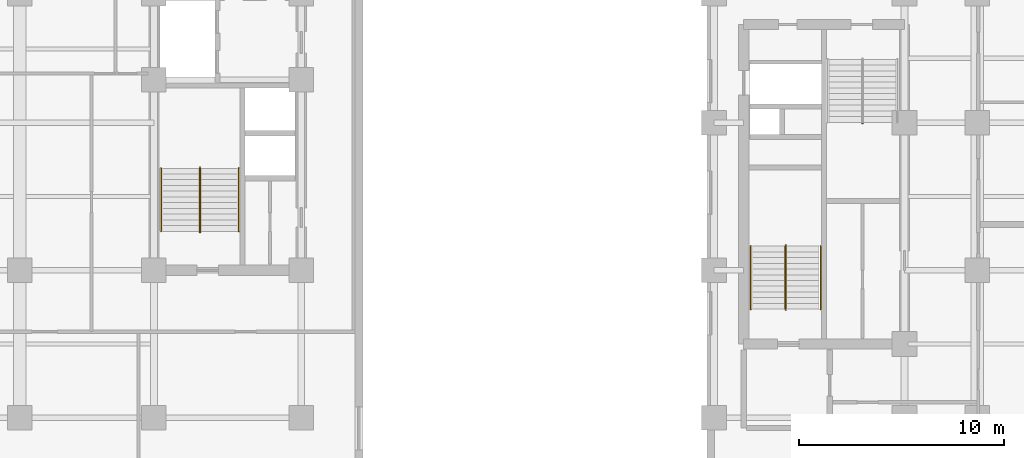
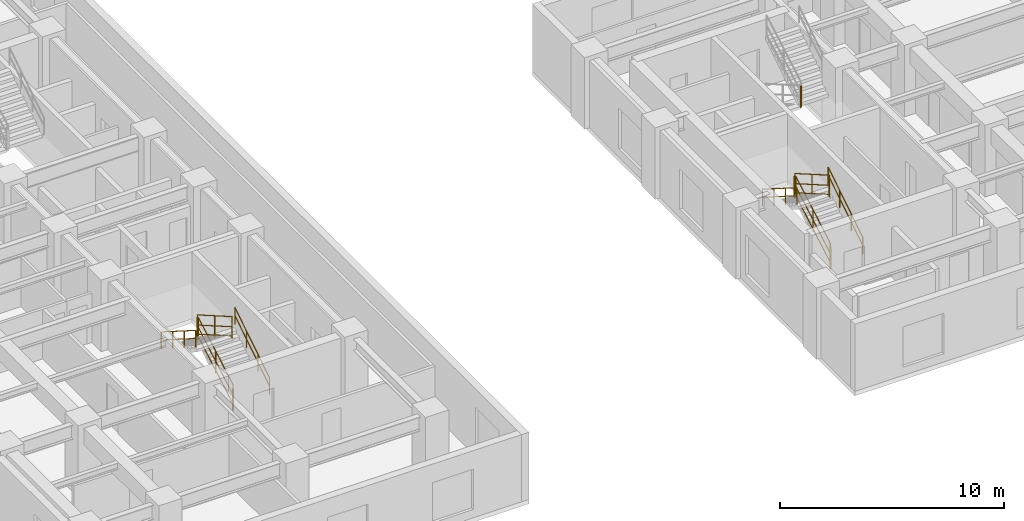
# One storey, part 7 of 9: 13 railings.
"""IFC4 building model written with IfcOpenShell, lengths in metres."""

from ifc_helpers import new_model, entity, si_unit, converted_unit, direction, frame, origin_with_axes, origin_2d_with_axis, place, context, subcontext, project, spatial, rectangle, circle, extrude, material, type_object, element, save


model = new_model("IFC4")

# Units and contexts
model_context = context("Model", 3, precision=1e-05, world=origin_with_axes(), true_north=direction((0.0, 1.0)))
body_context = subcontext(model_context, "Body", "Model", "MODEL_VIEW")
ifc_project = project(units=[si_unit("LENGTHUNIT", "METRE"), si_unit("AREAUNIT", "SQUARE_METRE"), si_unit("VOLUMEUNIT", "CUBIC_METRE"), converted_unit("PLANEANGLEUNIT", "DEGREE", entity("IfcPlaneAngleMeasure", 0.017453292519943295), si_unit("PLANEANGLEUNIT", "RADIAN"), dimensions=[0, 0, 0, 0, 0, 0, 0]), si_unit("MASSUNIT", "GRAM", prefix="KILO"), si_unit("THERMODYNAMICTEMPERATUREUNIT", "KELVIN")], contexts=[model_context])

# Site, building, storey
site_placement = place(None, origin_with_axes())
site = spatial("IfcSite", under=ifc_project, at=site_placement, CompositionType="ELEMENT")
building_placement = place(site_placement, origin_with_axes())
building = spatial("IfcBuilding", under=site, at=building_placement, Name="Varnlund Millrace Tower", CompositionType="ELEMENT")
storey_placement = place(building_placement, frame((0.0, 0.0, 112.5), z_axis=(0.0, 0.0, 1.0), x_axis=(1.0, 0.0, 0.0)))
storey = spatial("IfcBuildingStorey", under=building, at=storey_placement, Name="L27", CompositionType="ELEMENT", Elevation=112.5)

# Railings
ifc_material_1 = material(Name="Painted steel stair well balustrade guard", Category="steel")
railing_type_1 = type_object("IfcRailingType", Name="Type-StairGuard-1150", PredefinedType="GUARDRAIL", material=ifc_material_1)
railing_1_placement = place(storey_placement, frame((0.0, 0.0, -112.5), z_axis=(0.0, 0.0, 1.0), x_axis=(1.0, 0.0, 0.0)))
element("IfcRailing", 1, at=railing_1_placement, inside=storey, type_object=railing_type_1, Name="Type-StairGuard-1150", PredefinedType="GUARDRAIL", context=body_context, shape_type="SweptSolid", body=[
    extrude(circle(Radius=0.024, at=origin_2d_with_axis()), frame((13.675, 12.7, 113.827273), z_axis=(0.0, 0.866696, 0.498836), x_axis=(-1.0, 0.0, 0.0)), (0.0, 0.0, 1.0), 3.553725),
    extrude(circle(Radius=0.024, at=origin_2d_with_axis()), frame((13.675, 12.7, 112.777273), z_axis=(0.0, 0.866696, 0.498836), x_axis=(-1.0, 0.0, 0.0)), (0.0, 0.0, 1.0), 3.553725),
    extrude(circle(Radius=0.024, at=origin_2d_with_axis()), frame((13.675, 12.7, 113.275273), z_axis=(0.0, 0.866696, 0.498836), x_axis=(-1.0, 0.0, 0.0)), (0.0, 0.0, 1.0), 3.553725),
    extrude(rectangle(XDim=0.04, YDim=0.04, at=origin_2d_with_axis()), frame((13.675, 12.7, 112.637273), z_axis=(0.0, 0.0, 1.0), x_axis=(1.0, 0.0, 0.0)), (0.0, 0.0, 1.0), 1.19),
    extrude(rectangle(XDim=0.04, YDim=0.04, at=origin_2d_with_axis()), frame((13.675, 14.24, 113.523636), z_axis=(0.0, 0.0, 1.0), x_axis=(1.0, 0.0, 0.0)), (0.0, 0.0, 1.0), 1.19),
    extrude(rectangle(XDim=0.04, YDim=0.04, at=origin_2d_with_axis()), frame((13.675, 15.78, 114.41), z_axis=(0.0, 0.0, 1.0), x_axis=(1.0, 0.0, 0.0)), (0.0, 0.0, 1.0), 1.19),
])
railing_2_placement = place(storey_placement, frame((0.0, 0.0, -112.5), z_axis=(0.0, 0.0, 1.0), x_axis=(1.0, 0.0, 0.0)))
element("IfcRailing", 2, at=railing_2_placement, inside=storey, type_object=railing_type_1, Name="Type-StairGuard-1150", PredefinedType="GUARDRAIL", context=body_context, shape_type="SweptSolid", body=[
    extrude(circle(Radius=0.024, at=origin_2d_with_axis()), frame((13.625, 15.83, 115.6), z_axis=(1.0, 0.0, 0.0), x_axis=(0.0, 1.0, 0.0)), (0.0, 0.0, 1.0), 0.05),
    extrude(circle(Radius=0.024, at=origin_2d_with_axis()), frame((13.625, 15.83, 114.55), z_axis=(1.0, 0.0, 0.0), x_axis=(0.0, 1.0, 0.0)), (0.0, 0.0, 1.0), 0.05),
    extrude(circle(Radius=0.024, at=origin_2d_with_axis()), frame((13.625, 15.83, 115.048), z_axis=(1.0, 0.0, 0.0), x_axis=(0.0, 1.0, 0.0)), (0.0, 0.0, 1.0), 0.05),
    extrude(rectangle(XDim=0.04, YDim=0.04, at=origin_2d_with_axis()), frame((13.625, 15.83, 114.41), z_axis=(0.0, 0.0, 1.0), x_axis=(1.0, 0.0, 0.0)), (0.0, 0.0, 1.0), 1.19),
    extrude(rectangle(XDim=0.04, YDim=0.04, at=origin_2d_with_axis()), frame((13.675, 15.83, 114.41), z_axis=(0.0, 0.0, 1.0), x_axis=(1.0, 0.0, 0.0)), (0.0, 0.0, 1.0), 1.19),
])
railing_3_placement = place(storey_placement, frame((0.0, 0.0, -112.5), z_axis=(0.0, 0.0, 1.0), x_axis=(1.0, 0.0, 0.0)))
element("IfcRailing", 3, at=railing_3_placement, inside=storey, type_object=railing_type_1, Name="Type-StairGuard-1150", PredefinedType="GUARDRAIL", context=body_context, shape_type="SweptSolid", body=[
    extrude(circle(Radius=0.024, at=origin_2d_with_axis()), frame((13.625, 15.78, 115.777273), z_axis=(0.0, -0.866696, 0.498836), x_axis=(1.0, 0.0, 0.0)), (0.0, 0.0, 1.0), 3.553725),
    extrude(circle(Radius=0.024, at=origin_2d_with_axis()), frame((13.625, 15.78, 114.727273), z_axis=(0.0, -0.866696, 0.498836), x_axis=(1.0, 0.0, 0.0)), (0.0, 0.0, 1.0), 3.553725),
    extrude(circle(Radius=0.024, at=origin_2d_with_axis()), frame((13.625, 15.78, 115.225273), z_axis=(0.0, -0.866696, 0.498836), x_axis=(1.0, 0.0, 0.0)), (0.0, 0.0, 1.0), 3.553725),
    extrude(rectangle(XDim=0.04, YDim=0.04, at=origin_2d_with_axis()), frame((13.625, 15.78, 114.587273), z_axis=(0.0, 0.0, 1.0), x_axis=(1.0, 0.0, 0.0)), (0.0, 0.0, 1.0), 1.19),
    extrude(rectangle(XDim=0.04, YDim=0.04, at=origin_2d_with_axis()), frame((13.625, 14.24, 115.473636), z_axis=(0.0, 0.0, 1.0), x_axis=(1.0, 0.0, 0.0)), (0.0, 0.0, 1.0), 1.19),
    extrude(rectangle(XDim=0.04, YDim=0.04, at=origin_2d_with_axis()), frame((13.625, 12.7, 116.36), z_axis=(0.0, 0.0, 1.0), x_axis=(1.0, 0.0, 0.0)), (0.0, 0.0, 1.0), 1.19),
])
railing_4_placement = place(storey_placement, frame((0.0, 0.0, -112.5), z_axis=(0.0, 0.0, 1.0), x_axis=(1.0, 0.0, 0.0)))
element("IfcRailing", 4, at=railing_4_placement, inside=storey, type_object=railing_type_1, Name="Type-StairGuard-1150", PredefinedType="GUARDRAIL", context=body_context, shape_type="SweptSolid", body=[
    extrude(circle(Radius=0.024, at=origin_2d_with_axis()), frame((13.625, 12.65, 113.65), z_axis=(1.0, 0.0, 0.0), x_axis=(0.0, 1.0, 0.0)), (0.0, 0.0, 1.0), 0.05),
    extrude(circle(Radius=0.024, at=origin_2d_with_axis()), frame((13.625, 12.65, 112.6), z_axis=(1.0, 0.0, 0.0), x_axis=(0.0, 1.0, 0.0)), (0.0, 0.0, 1.0), 0.05),
    extrude(circle(Radius=0.024, at=origin_2d_with_axis()), frame((13.625, 12.65, 113.098), z_axis=(1.0, 0.0, 0.0), x_axis=(0.0, 1.0, 0.0)), (0.0, 0.0, 1.0), 0.05),
    extrude(rectangle(XDim=0.04, YDim=0.04, at=origin_2d_with_axis()), frame((13.625, 12.65, 112.46), z_axis=(0.0, 0.0, 1.0), x_axis=(1.0, 0.0, 0.0)), (0.0, 0.0, 1.0), 1.19),
    extrude(rectangle(XDim=0.04, YDim=0.04, at=origin_2d_with_axis()), frame((13.675, 12.65, 112.46), z_axis=(0.0, 0.0, 1.0), x_axis=(1.0, 0.0, 0.0)), (0.0, 0.0, 1.0), 1.19),
])
railing_5_placement = place(storey_placement, frame((0.0, 0.0, -112.5), z_axis=(0.0, 0.0, 1.0), x_axis=(1.0, 0.0, 0.0)))
element("IfcRailing", 5, at=railing_5_placement, inside=storey, type_object=railing_type_1, Name="Type-StairGuard-1150", PredefinedType="GUARDRAIL", context=body_context, shape_type="SweptSolid", body=[
    extrude(circle(Radius=0.024, at=origin_2d_with_axis()), frame((42.275, 8.9, 113.827273), z_axis=(0.0, 0.866696, 0.498836), x_axis=(-1.0, 0.0, 0.0)), (0.0, 0.0, 1.0), 3.553725),
    extrude(circle(Radius=0.024, at=origin_2d_with_axis()), frame((42.275, 8.9, 112.777273), z_axis=(0.0, 0.866696, 0.498836), x_axis=(-1.0, 0.0, 0.0)), (0.0, 0.0, 1.0), 3.553725),
    extrude(circle(Radius=0.024, at=origin_2d_with_axis()), frame((42.275, 8.9, 113.275273), z_axis=(0.0, 0.866696, 0.498836), x_axis=(-1.0, 0.0, 0.0)), (0.0, 0.0, 1.0), 3.553725),
    extrude(rectangle(XDim=0.04, YDim=0.04, at=origin_2d_with_axis()), frame((42.275, 8.9, 112.637273), z_axis=(0.0, 0.0, 1.0), x_axis=(1.0, 0.0, 0.0)), (0.0, 0.0, 1.0), 1.19),
    extrude(rectangle(XDim=0.04, YDim=0.04, at=origin_2d_with_axis()), frame((42.275, 10.44, 113.523636), z_axis=(0.0, 0.0, 1.0), x_axis=(1.0, 0.0, 0.0)), (0.0, 0.0, 1.0), 1.19),
    extrude(rectangle(XDim=0.04, YDim=0.04, at=origin_2d_with_axis()), frame((42.275, 11.98, 114.41), z_axis=(0.0, 0.0, 1.0), x_axis=(1.0, 0.0, 0.0)), (0.0, 0.0, 1.0), 1.19),
])
railing_6_placement = place(storey_placement, frame((0.0, 0.0, -112.5), z_axis=(0.0, 0.0, 1.0), x_axis=(1.0, 0.0, 0.0)))
element("IfcRailing", 6, at=railing_6_placement, inside=storey, type_object=railing_type_1, Name="Type-StairGuard-1150", PredefinedType="GUARDRAIL", context=body_context, shape_type="SweptSolid", body=[
    extrude(circle(Radius=0.024, at=origin_2d_with_axis()), frame((42.225, 12.03, 115.6), z_axis=(1.0, 0.0, 0.0), x_axis=(0.0, 1.0, 0.0)), (0.0, 0.0, 1.0), 0.05),
    extrude(circle(Radius=0.024, at=origin_2d_with_axis()), frame((42.225, 12.03, 114.55), z_axis=(1.0, 0.0, 0.0), x_axis=(0.0, 1.0, 0.0)), (0.0, 0.0, 1.0), 0.05),
    extrude(circle(Radius=0.024, at=origin_2d_with_axis()), frame((42.225, 12.03, 115.048), z_axis=(1.0, 0.0, 0.0), x_axis=(0.0, 1.0, 0.0)), (0.0, 0.0, 1.0), 0.05),
    extrude(rectangle(XDim=0.04, YDim=0.04, at=origin_2d_with_axis()), frame((42.225, 12.03, 114.41), z_axis=(0.0, 0.0, 1.0), x_axis=(1.0, 0.0, 0.0)), (0.0, 0.0, 1.0), 1.19),
    extrude(rectangle(XDim=0.04, YDim=0.04, at=origin_2d_with_axis()), frame((42.275, 12.03, 114.41), z_axis=(0.0, 0.0, 1.0), x_axis=(1.0, 0.0, 0.0)), (0.0, 0.0, 1.0), 1.19),
])
railing_7_placement = place(storey_placement, frame((0.0, 0.0, -112.5), z_axis=(0.0, 0.0, 1.0), x_axis=(1.0, 0.0, 0.0)))
element("IfcRailing", 7, at=railing_7_placement, inside=storey, type_object=railing_type_1, Name="Type-StairGuard-1150", PredefinedType="GUARDRAIL", context=body_context, shape_type="SweptSolid", body=[
    extrude(circle(Radius=0.024, at=origin_2d_with_axis()), frame((42.225, 11.98, 115.777273), z_axis=(0.0, -0.866696, 0.498836), x_axis=(1.0, 0.0, 0.0)), (0.0, 0.0, 1.0), 3.553725),
    extrude(circle(Radius=0.024, at=origin_2d_with_axis()), frame((42.225, 11.98, 114.727273), z_axis=(0.0, -0.866696, 0.498836), x_axis=(1.0, 0.0, 0.0)), (0.0, 0.0, 1.0), 3.553725),
    extrude(circle(Radius=0.024, at=origin_2d_with_axis()), frame((42.225, 11.98, 115.225273), z_axis=(0.0, -0.866696, 0.498836), x_axis=(1.0, 0.0, 0.0)), (0.0, 0.0, 1.0), 3.553725),
    extrude(rectangle(XDim=0.04, YDim=0.04, at=origin_2d_with_axis()), frame((42.225, 11.98, 114.587273), z_axis=(0.0, 0.0, 1.0), x_axis=(1.0, 0.0, 0.0)), (0.0, 0.0, 1.0), 1.19),
    extrude(rectangle(XDim=0.04, YDim=0.04, at=origin_2d_with_axis()), frame((42.225, 10.44, 115.473636), z_axis=(0.0, 0.0, 1.0), x_axis=(1.0, 0.0, 0.0)), (0.0, 0.0, 1.0), 1.19),
    extrude(rectangle(XDim=0.04, YDim=0.04, at=origin_2d_with_axis()), frame((42.225, 8.9, 116.36), z_axis=(0.0, 0.0, 1.0), x_axis=(1.0, 0.0, 0.0)), (0.0, 0.0, 1.0), 1.19),
])
railing_8_placement = place(storey_placement, frame((0.0, 0.0, -112.5), z_axis=(0.0, 0.0, 1.0), x_axis=(1.0, 0.0, 0.0)))
element("IfcRailing", 8, at=railing_8_placement, inside=storey, type_object=railing_type_1, Name="Type-StairGuard-1150", PredefinedType="GUARDRAIL", context=body_context, shape_type="SweptSolid", body=[
    extrude(circle(Radius=0.024, at=origin_2d_with_axis()), frame((42.225, 8.85, 113.65), z_axis=(1.0, 0.0, 0.0), x_axis=(0.0, 1.0, 0.0)), (0.0, 0.0, 1.0), 0.05),
    extrude(circle(Radius=0.024, at=origin_2d_with_axis()), frame((42.225, 8.85, 112.6), z_axis=(1.0, 0.0, 0.0), x_axis=(0.0, 1.0, 0.0)), (0.0, 0.0, 1.0), 0.05),
    extrude(circle(Radius=0.024, at=origin_2d_with_axis()), frame((42.225, 8.85, 113.098), z_axis=(1.0, 0.0, 0.0), x_axis=(0.0, 1.0, 0.0)), (0.0, 0.0, 1.0), 0.05),
    extrude(rectangle(XDim=0.04, YDim=0.04, at=origin_2d_with_axis()), frame((42.225, 8.85, 112.46), z_axis=(0.0, 0.0, 1.0), x_axis=(1.0, 0.0, 0.0)), (0.0, 0.0, 1.0), 1.19),
    extrude(rectangle(XDim=0.04, YDim=0.04, at=origin_2d_with_axis()), frame((42.275, 8.85, 112.46), z_axis=(0.0, 0.0, 1.0), x_axis=(1.0, 0.0, 0.0)), (0.0, 0.0, 1.0), 1.19),
])
railing_9_placement = place(storey_placement, frame((0.0, 0.0, -112.5), z_axis=(0.0, 0.0, 1.0), x_axis=(1.0, 0.0, 0.0)))
element("IfcRailing", 9, at=railing_9_placement, inside=storey, type_object=railing_type_1, Name="Type-StairGuard-1150", PredefinedType="GUARDRAIL", context=body_context, shape_type="SweptSolid", body=[
    extrude(circle(Radius=0.024, at=origin_2d_with_axis()), frame((46.025, 17.97, 115.6), z_axis=(-1.0, 0.0, 0.0), x_axis=(0.0, -1.0, 0.0)), (0.0, 0.0, 1.0), 0.05),
    extrude(circle(Radius=0.024, at=origin_2d_with_axis()), frame((46.025, 17.97, 114.55), z_axis=(-1.0, 0.0, 0.0), x_axis=(0.0, -1.0, 0.0)), (0.0, 0.0, 1.0), 0.05),
    extrude(circle(Radius=0.024, at=origin_2d_with_axis()), frame((46.025, 17.97, 115.048), z_axis=(-1.0, 0.0, 0.0), x_axis=(0.0, -1.0, 0.0)), (0.0, 0.0, 1.0), 0.05),
    extrude(rectangle(XDim=0.04, YDim=0.04, at=origin_2d_with_axis()), frame((46.025, 17.97, 114.41), z_axis=(0.0, 0.0, 1.0), x_axis=(1.0, 0.0, 0.0)), (0.0, 0.0, 1.0), 1.19),
    extrude(rectangle(XDim=0.04, YDim=0.04, at=origin_2d_with_axis()), frame((45.975, 17.97, 114.41), z_axis=(0.0, 0.0, 1.0), x_axis=(1.0, 0.0, 0.0)), (0.0, 0.0, 1.0), 1.19),
])
ifc_material_2 = material(Name="Brushed architectural bronze stair handrail", Category="aluminium")
railing_type_2 = type_object("IfcRailingType", Name="Type-StairHandrail-900", PredefinedType="HANDRAIL", material=ifc_material_2)
railing_10_placement = place(storey_placement, frame((0.0, 0.0, -112.5), z_axis=(0.0, 0.0, 1.0), x_axis=(1.0, 0.0, 0.0)))
element("IfcRailing", 10, at=railing_10_placement, inside=storey, type_object=railing_type_2, Name="Type-StairHandrail-900", PredefinedType="HANDRAIL", context=body_context, shape_type="SweptSolid", body=[
    extrude(circle(Radius=0.024, at=origin_2d_with_axis()), frame((15.55, 12.7, 113.556995), z_axis=(0.0, 0.844902, 0.534922), x_axis=(-1.0, 0.0, 0.0)), (0.0, 0.0, 1.0), 3.645394),
    extrude(circle(Radius=0.024, at=origin_2d_with_axis()), frame((15.55, 12.7, 113.117134), z_axis=(0.0, 0.844902, 0.534922), x_axis=(-1.0, 0.0, 0.0)), (0.0, 0.0, 1.0), 3.645394),
    extrude(rectangle(XDim=0.04, YDim=0.04, at=origin_2d_with_axis()), frame((15.55, 12.7, 112.637273), z_axis=(0.0, 0.0, 1.0), x_axis=(1.0, 0.0, 0.0)), (0.0, 0.0, 1.0), 0.919722),
    extrude(rectangle(XDim=0.04, YDim=0.04, at=origin_2d_with_axis()), frame((15.55, 13.726667, 113.287273), z_axis=(0.0, 0.0, 1.0), x_axis=(1.0, 0.0, 0.0)), (0.0, 0.0, 1.0), 0.919722),
    extrude(rectangle(XDim=0.04, YDim=0.04, at=origin_2d_with_axis()), frame((15.55, 14.753333, 113.937273), z_axis=(0.0, 0.0, 1.0), x_axis=(1.0, 0.0, 0.0)), (0.0, 0.0, 1.0), 0.919722),
    extrude(rectangle(XDim=0.04, YDim=0.04, at=origin_2d_with_axis()), frame((15.55, 15.78, 114.587273), z_axis=(0.0, 0.0, 1.0), x_axis=(1.0, 0.0, 0.0)), (0.0, 0.0, 1.0), 0.919722),
])
railing_11_placement = place(storey_placement, frame((0.0, 0.0, -112.5), z_axis=(0.0, 0.0, 1.0), x_axis=(1.0, 0.0, 0.0)))
element("IfcRailing", 11, at=railing_11_placement, inside=storey, type_object=railing_type_2, Name="Type-StairHandrail-900", PredefinedType="HANDRAIL", context=body_context, shape_type="SweptSolid", body=[
    extrude(circle(Radius=0.024, at=origin_2d_with_axis()), frame((11.75, 15.78, 115.506995), z_axis=(0.0, -0.844902, 0.534922), x_axis=(1.0, 0.0, 0.0)), (0.0, 0.0, 1.0), 3.645394),
    extrude(circle(Radius=0.024, at=origin_2d_with_axis()), frame((11.75, 15.78, 115.067134), z_axis=(0.0, -0.844902, 0.534922), x_axis=(1.0, 0.0, 0.0)), (0.0, 0.0, 1.0), 3.645394),
    extrude(rectangle(XDim=0.04, YDim=0.04, at=origin_2d_with_axis()), frame((11.75, 15.78, 114.587273), z_axis=(0.0, 0.0, 1.0), x_axis=(1.0, 0.0, 0.0)), (0.0, 0.0, 1.0), 0.919722),
    extrude(rectangle(XDim=0.04, YDim=0.04, at=origin_2d_with_axis()), frame((11.75, 14.753333, 115.237273), z_axis=(0.0, 0.0, 1.0), x_axis=(1.0, 0.0, 0.0)), (0.0, 0.0, 1.0), 0.919722),
    extrude(rectangle(XDim=0.04, YDim=0.04, at=origin_2d_with_axis()), frame((11.75, 13.726667, 115.887273), z_axis=(0.0, 0.0, 1.0), x_axis=(1.0, 0.0, 0.0)), (0.0, 0.0, 1.0), 0.919722),
    extrude(rectangle(XDim=0.04, YDim=0.04, at=origin_2d_with_axis()), frame((11.75, 12.7, 116.537273), z_axis=(0.0, 0.0, 1.0), x_axis=(1.0, 0.0, 0.0)), (0.0, 0.0, 1.0), 0.919722),
])
railing_12_placement = place(storey_placement, frame((0.0, 0.0, -112.5), z_axis=(0.0, 0.0, 1.0), x_axis=(1.0, 0.0, 0.0)))
element("IfcRailing", 12, at=railing_12_placement, inside=storey, type_object=railing_type_2, Name="Type-StairHandrail-900", PredefinedType="HANDRAIL", context=body_context, shape_type="SweptSolid", body=[
    extrude(circle(Radius=0.024, at=origin_2d_with_axis()), frame((43.95, 8.9, 113.556995), z_axis=(0.0, 0.844902, 0.534922), x_axis=(-1.0, 0.0, 0.0)), (0.0, 0.0, 1.0), 3.645394),
    extrude(circle(Radius=0.024, at=origin_2d_with_axis()), frame((43.95, 8.9, 113.117134), z_axis=(0.0, 0.844902, 0.534922), x_axis=(-1.0, 0.0, 0.0)), (0.0, 0.0, 1.0), 3.645394),
    extrude(rectangle(XDim=0.04, YDim=0.04, at=origin_2d_with_axis()), frame((43.95, 8.9, 112.637273), z_axis=(0.0, 0.0, 1.0), x_axis=(1.0, 0.0, 0.0)), (0.0, 0.0, 1.0), 0.919722),
    extrude(rectangle(XDim=0.04, YDim=0.04, at=origin_2d_with_axis()), frame((43.95, 9.926667, 113.287273), z_axis=(0.0, 0.0, 1.0), x_axis=(1.0, 0.0, 0.0)), (0.0, 0.0, 1.0), 0.919722),
    extrude(rectangle(XDim=0.04, YDim=0.04, at=origin_2d_with_axis()), frame((43.95, 10.953333, 113.937273), z_axis=(0.0, 0.0, 1.0), x_axis=(1.0, 0.0, 0.0)), (0.0, 0.0, 1.0), 0.919722),
    extrude(rectangle(XDim=0.04, YDim=0.04, at=origin_2d_with_axis()), frame((43.95, 11.98, 114.587273), z_axis=(0.0, 0.0, 1.0), x_axis=(1.0, 0.0, 0.0)), (0.0, 0.0, 1.0), 0.919722),
])
railing_13_placement = place(storey_placement, frame((0.0, 0.0, -112.5), z_axis=(0.0, 0.0, 1.0), x_axis=(1.0, 0.0, 0.0)))
element("IfcRailing", 13, at=railing_13_placement, inside=storey, type_object=railing_type_2, Name="Type-StairHandrail-900", PredefinedType="HANDRAIL", context=body_context, shape_type="SweptSolid", body=[
    extrude(circle(Radius=0.024, at=origin_2d_with_axis()), frame((40.55, 11.98, 115.506995), z_axis=(0.0, -0.844902, 0.534922), x_axis=(1.0, 0.0, 0.0)), (0.0, 0.0, 1.0), 3.645394),
    extrude(circle(Radius=0.024, at=origin_2d_with_axis()), frame((40.55, 11.98, 115.067134), z_axis=(0.0, -0.844902, 0.534922), x_axis=(1.0, 0.0, 0.0)), (0.0, 0.0, 1.0), 3.645394),
    extrude(rectangle(XDim=0.04, YDim=0.04, at=origin_2d_with_axis()), frame((40.55, 11.98, 114.587273), z_axis=(0.0, 0.0, 1.0), x_axis=(1.0, 0.0, 0.0)), (0.0, 0.0, 1.0), 0.919722),
    extrude(rectangle(XDim=0.04, YDim=0.04, at=origin_2d_with_axis()), frame((40.55, 10.953333, 115.237273), z_axis=(0.0, 0.0, 1.0), x_axis=(1.0, 0.0, 0.0)), (0.0, 0.0, 1.0), 0.919722),
    extrude(rectangle(XDim=0.04, YDim=0.04, at=origin_2d_with_axis()), frame((40.55, 9.926667, 115.887273), z_axis=(0.0, 0.0, 1.0), x_axis=(1.0, 0.0, 0.0)), (0.0, 0.0, 1.0), 0.919722),
    extrude(rectangle(XDim=0.04, YDim=0.04, at=origin_2d_with_axis()), frame((40.55, 8.9, 116.537273), z_axis=(0.0, 0.0, 1.0), x_axis=(1.0, 0.0, 0.0)), (0.0, 0.0, 1.0), 0.919722),
])

save(model, "model.ifc")
